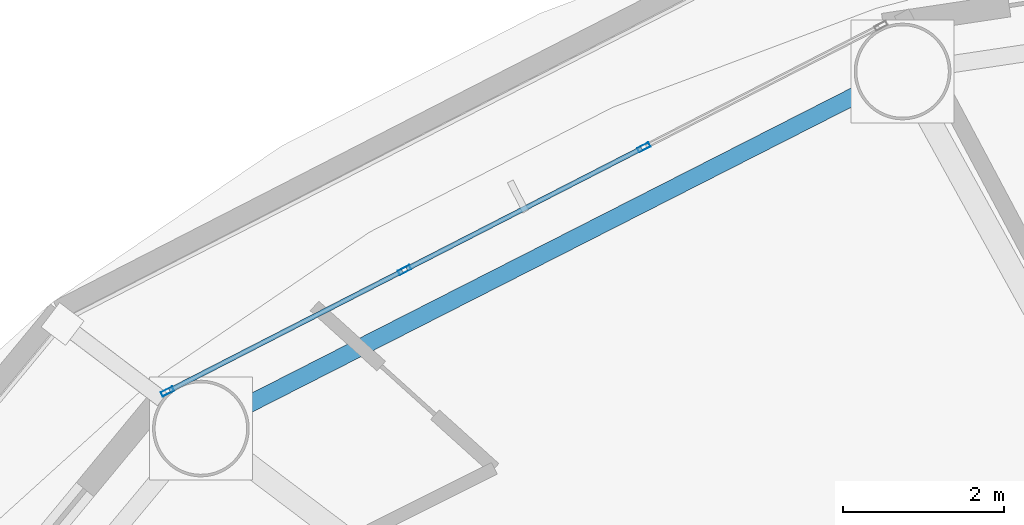
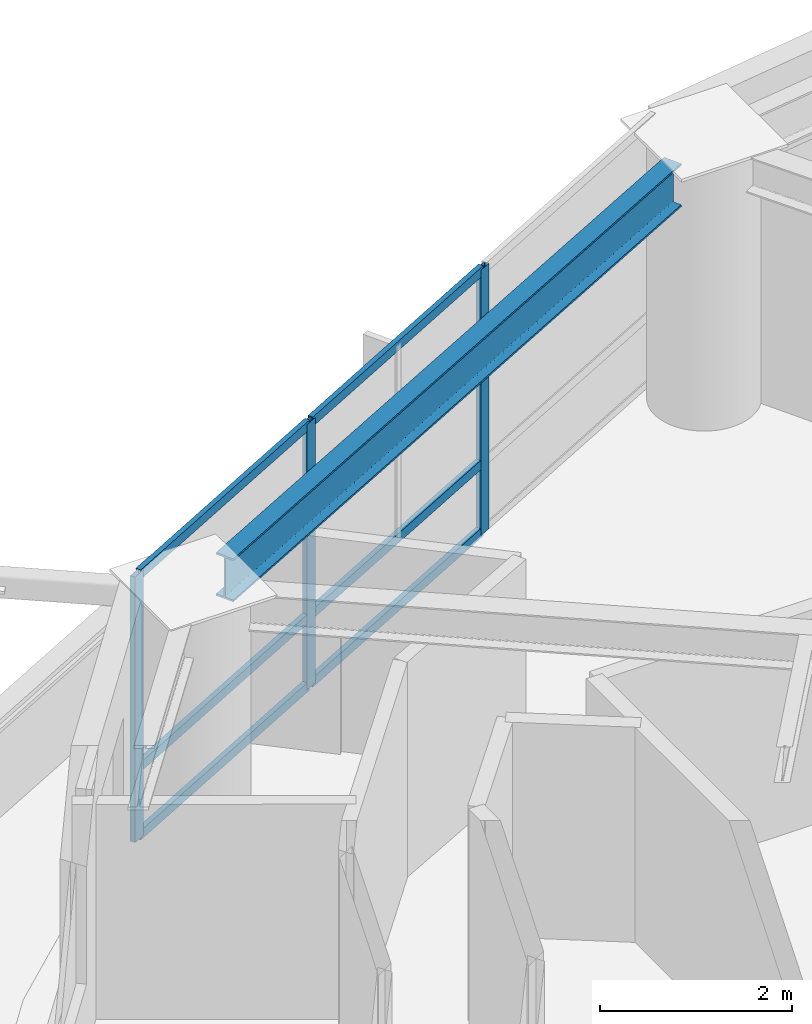
# One storey, part 11 of 27: 9 members, 1 beam, 1 element without a shape of its own.
"""IFC4 building model written with IfcOpenShell, lengths in metres."""

import ifcopenshell
import ifcopenshell.guid

model = None  # the IFC model being written
_history = None  # IfcOwnerHistory: only IFC2X3 demands one
_inside = {}  # id of a spatial element -> (the spatial element, [elements in it])
_under = {}  # id of a project, library or spatial element -> (it, [spatial elements below it])
_declared = {}  # id of a project -> (the project, [libraries it declares])
_typed = {}  # id of a type object -> (the type object, [elements of that type])
_made_of = {}  # id of a material, layer set ... -> (it, [elements and type objects made of it])


def new_model(schema):
    """Start an empty IFC model of exactly this schema.

    Asked for "IFC4X3", IfcOpenShell would pick the latest addendum, in which some entities
    have other attributes; the version numbers below select the first issue.
    IFC2X3 requires an IfcOwnerHistory on every rooted entity: one is made here for all.
    """
    global model, _history
    if schema == "IFC4X3":
        model = ifcopenshell.file(schema_version=(4, 3, 0, 0))
    else:
        model = ifcopenshell.file(schema=schema)
    _inside.clear()
    _under.clear()
    _declared.clear()
    _typed.clear()
    _made_of.clear()
    _history = None
    if model.schema == "IFC2X3":
        org = make("IfcOrganization", Name="unknown")
        user = make(
            "IfcPersonAndOrganization",
            ThePerson=make("IfcPerson", FamilyName="unknown"),
            TheOrganization=org,
        )
        app = make(
            "IfcApplication",
            ApplicationDeveloper=org,
            Version="unknown",
            ApplicationFullName="unknown",
            ApplicationIdentifier="unknown",
        )
        _history = make(
            "IfcOwnerHistory",
            OwningUser=user,
            OwningApplication=app,
            ChangeAction="ADDED",
            CreationDate=0,
        )
    return model


def make(cls, **values):
    """One entity of the class cls with the attributes given. An attribute that is None is left unset."""
    return model.create_entity(
        cls, **{name: value for name, value in values.items() if value is not None}
    )


def rooted(cls, **values):
    """An entity with a GlobalId (a new one), such as an element, a storey or a relation."""
    return make(cls, GlobalId=ifcopenshell.guid.new(), OwnerHistory=_history, **values)


def si_unit(unit_type, name, prefix=None):
    """IfcSIUnit, for example si_unit("LENGTHUNIT", "METRE", prefix="MILLI")."""
    return make("IfcSIUnit", UnitType=unit_type, Prefix=prefix, Name=name)


def assignment(units):
    """IfcUnitAssignment: the units of a project."""
    return None if units is None else make("IfcUnitAssignment", Units=units)


def point(xyz):
    """IfcCartesianPoint."""
    return None if xyz is None else make("IfcCartesianPoint", Coordinates=xyz)


def direction(xyz):
    """IfcDirection."""
    return None if xyz is None else make("IfcDirection", DirectionRatios=xyz)


def frame(location, z_axis=None, x_axis=None):
    """IfcAxis2Placement3D, a coordinate frame: its origin and axes. An axis left out is left unset."""
    return make(
        "IfcAxis2Placement3D",
        Location=point(location),
        Axis=direction(z_axis),
        RefDirection=direction(x_axis),
    )


def frame_2d(location, x_axis=None):
    """IfcAxis2Placement2D, a coordinate frame in the plane: its origin and x axis."""
    return make(
        "IfcAxis2Placement2D", Location=point(location), RefDirection=direction(x_axis)
    )


def origin():
    """The frame at (0, 0, 0) with its axes left unset."""
    return frame((0.0, 0.0, 0.0))


def origin_2d():
    """The frame at (0, 0) in the plane with its x axis left unset."""
    return frame_2d((0.0, 0.0))


def place(relative_to, where):
    """IfcLocalPlacement: puts the frame where relative to a parent placement (None: the world)."""
    return make(
        "IfcLocalPlacement", PlacementRelTo=relative_to, RelativePlacement=where
    )


def context(
    kind, dimensions, precision=None, world=None, true_north=None, identifier=None
):
    """IfcGeometricRepresentationContext, for example the 3D "Model" context."""
    return make(
        "IfcGeometricRepresentationContext",
        ContextIdentifier=identifier,
        ContextType=kind,
        CoordinateSpaceDimension=dimensions,
        Precision=precision,
        WorldCoordinateSystem=world,
        TrueNorth=true_north,
    )


def subcontext(parent, identifier, kind, view, scale=None):
    """IfcGeometricRepresentationSubContext, for example "Body" below "Model"."""
    return make(
        "IfcGeometricRepresentationSubContext",
        ContextIdentifier=identifier,
        ContextType=kind,
        ParentContext=parent,
        TargetScale=scale,
        TargetView=view,
    )


def project(units=None, contexts=None):
    """IfcProject with its units and contexts."""
    return rooted(
        "IfcProject",
        Name="project",
        RepresentationContexts=contexts,
        UnitsInContext=assignment(units),
    )


def spatial(cls, under=None, at=None, **own):
    """A site, building, storey or space (cls), placed at a placement, below another one or the project."""
    s = rooted(cls, ObjectPlacement=at, **own)
    if under is not None:
        _under.setdefault(under.id(), (under, []))[1].append(s)
    return s


def profile(cls, at=None, kind="AREA", **sizes):
    """A parametric profile (cls). Its sizes go by their IFC names, for example OverallWidth=200.0."""
    return make(cls, ProfileType=kind, Position=at, **sizes)


def hollow_rectangle(**sizes):
    """IfcRectangleHollowProfileDef."""
    return profile("IfcRectangleHollowProfileDef", **sizes)


def i_section(**sizes):
    """IfcIShapeProfileDef."""
    return profile("IfcIShapeProfileDef", **sizes)


def extrude(swept, where, along, depth):
    """IfcExtrudedAreaSolid: the profile swept, set in the frame where, extruded along a direction by depth."""
    return make(
        "IfcExtrudedAreaSolid",
        SweptArea=swept,
        Position=where,
        ExtrudedDirection=direction(along),
        Depth=depth,
    )


def shape(context_of_items, identifier, shape_type, items):
    """IfcShapeRepresentation: the items that make up one representation, for example the "Body"."""
    return make(
        "IfcShapeRepresentation",
        ContextOfItems=context_of_items,
        RepresentationIdentifier=identifier,
        RepresentationType=shape_type,
        Items=items,
    )


def material(Name=None, Category=None):
    """IfcMaterial."""
    return make("IfcMaterial", Name=Name, Category=Category)


def layer(
    of_material, thickness, ventilated=None, Name=None, Category=None, Priority=None
):
    """IfcMaterialLayer: one layer of a wall or slab, of a material (None: an air gap)."""
    return make(
        "IfcMaterialLayer",
        Material=of_material,
        LayerThickness=thickness,
        IsVentilated=ventilated,
        Name=Name,
        Category=Category,
        Priority=Priority,
    )


def layer_set(layers, Name=None):
    """IfcMaterialLayerSet."""
    return make("IfcMaterialLayerSet", MaterialLayers=layers, LayerSetName=Name)


def material_profile(
    of_material, cross_section, Name=None, Category=None, Priority=None
):
    """IfcMaterialProfile: a cross section and its material."""
    return make(
        "IfcMaterialProfile",
        Name=Name,
        Material=of_material,
        Profile=cross_section,
        Priority=Priority,
        Category=Category,
    )


def profile_set(profiles, Name=None, composite=None):
    """IfcMaterialProfileSet."""
    return make(
        "IfcMaterialProfileSet",
        Name=Name,
        MaterialProfiles=profiles,
        CompositeProfile=composite,
    )


def made_of(thing, what):
    """Note that an element or type object is made of a material, layer set ...; save() writes the relation."""
    if what is not None:
        _made_of.setdefault(what.id(), (what, []))[1].append(thing)
    return thing


def type_object(cls, material=None, **own):
    """A type object (cls), such as IfcWallType, which elements share."""
    return made_of(rooted(cls, **own), material)


def element(
    cls,
    number,
    at=None,
    inside=None,
    cuts=None,
    type_object=None,
    material=None,
    context=None,
    identifier="Body",
    shape_type=None,
    held_by="IfcProductDefinitionShape",
    body=None,
    shapes=None,
    **own,
):
    """One element of the class cls, such as IfcWall. Its Tag is "e" and its number.

    at: its placement. inside: the storey or other place that contains it. cuts: it is an
    opening in that element (IfcRelVoidsElement). A single representation is given by context,
    identifier, shape_type and body (its items); several are given by shapes. held_by: the class
    of the entity that holds the representations. save() writes the other relations.
    """
    e = rooted(cls, Tag="e%d" % number, ObjectPlacement=at, **own)
    if body is not None:
        shapes = [shape(context, identifier, shape_type, body)]
    if shapes is not None:
        e.Representation = make(held_by, Representations=shapes)
    if inside is not None:
        _inside.setdefault(inside.id(), (inside, []))[1].append(e)
    if cuts is not None:
        rooted(
            "IfcRelVoidsElement", RelatingBuildingElement=cuts, RelatedOpeningElement=e
        )
    if type_object is not None:
        _typed.setdefault(type_object.id(), (type_object, []))[1].append(e)
    return made_of(e, material)


def aggregate(whole, parts):
    """IfcRelAggregates: a whole, such as a stair, and the parts it consists of."""
    return rooted("IfcRelAggregates", RelatingObject=whole, RelatedObjects=parts)


def save(model, path):
    """Write the relations noted so far, then the file.

    IfcRelAggregates (storeys below a building ...), IfcRelContainedInSpatialStructure (elements
    in a storey), IfcRelDefinesByType, IfcRelAssociatesMaterial and IfcRelDeclares: one each for
    every whole, place, type object, material and project.
    """
    for whole, parts in _under.values():
        aggregate(whole, parts)
    for where, things in _inside.values():
        rooted(
            "IfcRelContainedInSpatialStructure",
            RelatedElements=things,
            RelatingStructure=where,
        )
    for kind, things in _typed.values():
        rooted("IfcRelDefinesByType", RelatedObjects=things, RelatingType=kind)
    for what, things in _made_of.values():
        rooted("IfcRelAssociatesMaterial", RelatedObjects=things, RelatingMaterial=what)
    for by, libraries in _declared.values():
        rooted("IfcRelDeclares", RelatingContext=by, RelatedDefinitions=libraries)
    model.write(path)


model = new_model("IFC4")

# Units and contexts
model_context = context("Model", 3, precision=1e-05, world=origin(), true_north=direction((0.0, 1.0)))
body_context = subcontext(model_context, "Body", "Model", "MODEL_VIEW")
ifc_project = project(units=[si_unit("LENGTHUNIT", "METRE"), si_unit("AREAUNIT", "SQUARE_METRE"), si_unit("VOLUMEUNIT", "CUBIC_METRE"), si_unit("PLANEANGLEUNIT", "RADIAN"), si_unit("MASSUNIT", "GRAM", prefix="KILO")], contexts=[model_context])

# Site, building, storey
site_placement = place(None, origin())
site = spatial("IfcSite", under=ifc_project, at=site_placement, CompositionType="ELEMENT")
building_placement = place(site_placement, origin())
building = spatial("IfcBuilding", under=site, at=building_placement, Name="Sarneth Arch Tower", CompositionType="ELEMENT")
storey_placement = place(building_placement, frame((0.0, 0.0, 150.60009765625)))
storey = spatial("IfcBuildingStorey", under=building, at=storey_placement, Name="L37", CompositionType="ELEMENT", Elevation=150.60009765625)

# Beam
ifc_material_1 = material(Name="Steel S355", Category="steel")
ifc_material_profile_1 = material_profile(ifc_material_1, i_section(OverallWidth=0.214111328125, OverallDepth=0.549072265625, WebThickness=0.0146484375, FlangeThickness=0.023681640625, FilletRadius=0.01806640625, at=origin_2d()), Name="W530x138")
ifc_profile_set_1 = profile_set([ifc_material_profile_1], Name="Steel S355")
beam_type = type_object("IfcBeamType", Name="BM-RAD-530A", PredefinedType="BEAM", material=ifc_profile_set_1)
beam_placement = place(storey_placement, frame((37.04345703125, 60.621337890625, 3.10546875), z_axis=(-0.891250372735, -0.453511601945, 0.0), x_axis=(0.453511601945, -0.891250372735, 0.0)))
element("IfcBeam", 1, at=beam_placement, inside=storey, type_object=beam_type, Name="L37 Perimeter spandrel beam 06", PredefinedType="BEAM", context=body_context, shape_type="SweptSolid", body=[
    extrude(i_section(OverallWidth=0.214111328125, OverallDepth=0.549072265625, WebThickness=0.0146484375, FlangeThickness=0.023681640625, FilletRadius=0.01806640625, at=origin_2d()), origin(), (0.0, 0.0, 1.0), 8.5751953125),
])

# Curtain wall, members
ifc_material_2 = material(Name="Anodised aluminium Type AA25 and solar-control low-e laminated IGU", Category="aluminium")
ifc_layer = layer(ifc_material_2, 0.169921875)
ifc_layer_set = layer_set([ifc_layer], Name="Anodised aluminium Type AA25 and solar-control low-e laminated IGU")
curtain_wall_type = type_object("IfcCurtainWallType", Name="CW-RES-MID", PredefinedType="NOTDEFINED", material=ifc_layer_set)
curtain_wall_placement = place(storey_placement, origin())
curtain_wall = element("IfcCurtainWall", 2, at=curtain_wall_placement, inside=storey, type_object=curtain_wall_type, Name="L37 Unitised curtain wall facet 06", PredefinedType="NOTDEFINED")
ifc_material_3 = material(Name="Anodised Aluminium 6063-T6", Category="aluminium")
ifc_material_profile_2 = material_profile(ifc_material_3, hollow_rectangle(XDim=0.06005859375, YDim=0.159912109375, WallThickness=0.00390625, at=origin_2d()), Name="AL-MULL-160x60x4")
ifc_profile_set_2 = profile_set([ifc_material_profile_2], Name="Anodised Aluminium 6063-T6")
member_type_1 = type_object("IfcMemberType", Name="CW-MULLION", PredefinedType="MULLION", material=ifc_profile_set_2)
member_1_placement = place(storey_placement, frame((34.365966796875, 59.9521484375, 0.0), z_axis=(0.0, 0.0, 1.0), x_axis=(0.456208470329, -0.88987293003, 0.0)))
member_1 = element("IfcMember", 3, at=member_1_placement, type_object=member_type_1, Name="CW-SYS-5 mullion 2", PredefinedType="MULLION", context=body_context, shape_type="SweptSolid", body=[
    extrude(hollow_rectangle(XDim=0.06005859375, YDim=0.159912109375, WallThickness=0.00390625, at=origin_2d()), origin(), (0.0, 0.0, 1.0), 3.3798828125),
])
member_2_placement = place(storey_placement, frame((31.39501953125, 58.428955078125, 0.0), z_axis=(0.0, 0.0, 1.0), x_axis=(0.456208470329, -0.88987293003, 0.0)))
member_2 = element("IfcMember", 4, at=member_2_placement, type_object=member_type_1, Name="CW-SYS-5 mullion 3", PredefinedType="MULLION", context=body_context, shape_type="SweptSolid", body=[
    extrude(hollow_rectangle(XDim=0.06005859375, YDim=0.159912109375, WallThickness=0.00390625, at=origin_2d()), origin(), (0.0, 0.0, 1.0), 3.3798828125),
])
member_3_placement = place(storey_placement, frame((28.450439453125, 56.91943359375, 0.0), z_axis=(0.0, 0.0, 1.0), x_axis=(0.456208470329, -0.88987293003, 0.0)))
member_3 = element("IfcMember", 5, at=member_3_placement, type_object=member_type_1, Name="CW-SYS-5 mullion 4", PredefinedType="MULLION", context=body_context, shape_type="SweptSolid", body=[
    extrude(hollow_rectangle(XDim=0.06005859375, YDim=0.159912109375, WallThickness=0.00390625, at=origin_2d()), origin(), (0.0, 0.0, 1.0), 3.3798828125),
])
ifc_material_4 = material(Name="Anodised Aluminium 6063-T6", Category="aluminium")
ifc_material_profile_3 = material_profile(ifc_material_4, hollow_rectangle(XDim=0.06005859375, YDim=0.1201171875, WallThickness=0.00390625, at=origin_2d()), Name="AL-TRAN-120x60x4")
ifc_profile_set_3 = profile_set([ifc_material_profile_3], Name="Anodised Aluminium 6063-T6")
member_type_2 = type_object("IfcMemberType", Name="CW-TRANSOM", PredefinedType="USERDEFINED", material=ifc_profile_set_3)
member_4_placement = place(storey_placement, frame((34.33935546875, 59.9384765625, 0.02978515625), z_axis=(-0.889869396751, -0.45621536222, 0.0), x_axis=(0.45621536222, -0.889869396751, 0.0)))
member_4 = element("IfcMember", 6, at=member_4_placement, type_object=member_type_2, Name="CW-SYS-5 transom 2.1", ObjectType="TRANSOM", PredefinedType="USERDEFINED", context=body_context, shape_type="SweptSolid", body=[
    extrude(hollow_rectangle(XDim=0.06005859375, YDim=0.1201171875, WallThickness=0.00390625, at=origin_2d()), origin(), (0.0, 0.0, 1.0), 3.27880859375),
])
member_5_placement = place(storey_placement, frame((34.33935546875, 59.9384765625, 0.89990234375), z_axis=(-0.889869396751, -0.45621536222, 0.0), x_axis=(0.45621536222, -0.889869396751, 0.0)))
member_5 = element("IfcMember", 7, at=member_5_placement, type_object=member_type_2, Name="CW-SYS-5 transom 2.2", ObjectType="TRANSOM", PredefinedType="USERDEFINED", context=body_context, shape_type="SweptSolid", body=[
    extrude(hollow_rectangle(XDim=0.06005859375, YDim=0.1201171875, WallThickness=0.00390625, at=origin_2d()), origin(), (0.0, 0.0, 1.0), 3.27880859375),
])
member_6_placement = place(storey_placement, frame((34.33935546875, 59.9384765625, 3.349853515625), z_axis=(-0.889869396751, -0.45621536222, 0.0), x_axis=(0.45621536222, -0.889869396751, 0.0)))
member_6 = element("IfcMember", 8, at=member_6_placement, type_object=member_type_2, Name="CW-SYS-5 transom 2.3", ObjectType="TRANSOM", PredefinedType="USERDEFINED", context=body_context, shape_type="SweptSolid", body=[
    extrude(hollow_rectangle(XDim=0.06005859375, YDim=0.1201171875, WallThickness=0.00390625, at=origin_2d()), origin(), (0.0, 0.0, 1.0), 3.27880859375),
])
member_7_placement = place(storey_placement, frame((31.3681640625, 58.415283203125, 0.02978515625), z_axis=(-0.889857362344, -0.456238835131, 0.0), x_axis=(0.456238835131, -0.889857362344, 0.0)))
member_7 = element("IfcMember", 9, at=member_7_placement, type_object=member_type_2, Name="CW-SYS-5 transom 3.1", ObjectType="TRANSOM", PredefinedType="USERDEFINED", context=body_context, shape_type="SweptSolid", body=[
    extrude(hollow_rectangle(XDim=0.06005859375, YDim=0.1201171875, WallThickness=0.00390625, at=origin_2d()), origin(), (0.0, 0.0, 1.0), 3.248779296875),
])
member_8_placement = place(storey_placement, frame((31.3681640625, 58.415283203125, 0.89990234375), z_axis=(-0.889857362344, -0.456238835131, 0.0), x_axis=(0.456238835131, -0.889857362344, 0.0)))
member_8 = element("IfcMember", 10, at=member_8_placement, type_object=member_type_2, Name="CW-SYS-5 transom 3.2", ObjectType="TRANSOM", PredefinedType="USERDEFINED", context=body_context, shape_type="SweptSolid", body=[
    extrude(hollow_rectangle(XDim=0.06005859375, YDim=0.1201171875, WallThickness=0.00390625, at=origin_2d()), origin(), (0.0, 0.0, 1.0), 3.248779296875),
])
member_9_placement = place(storey_placement, frame((31.3681640625, 58.415283203125, 3.349853515625), z_axis=(-0.889857362344, -0.456238835131, 0.0), x_axis=(0.456238835131, -0.889857362344, 0.0)))
member_9 = element("IfcMember", 11, at=member_9_placement, type_object=member_type_2, Name="CW-SYS-5 transom 3.3", ObjectType="TRANSOM", PredefinedType="USERDEFINED", context=body_context, shape_type="SweptSolid", body=[
    extrude(hollow_rectangle(XDim=0.06005859375, YDim=0.1201171875, WallThickness=0.00390625, at=origin_2d()), origin(), (0.0, 0.0, 1.0), 3.248779296875),
])
aggregate(curtain_wall, [member_1, member_2, member_3, member_4, member_5, member_6, member_7, member_8, member_9])

save(model, "model.ifc")
